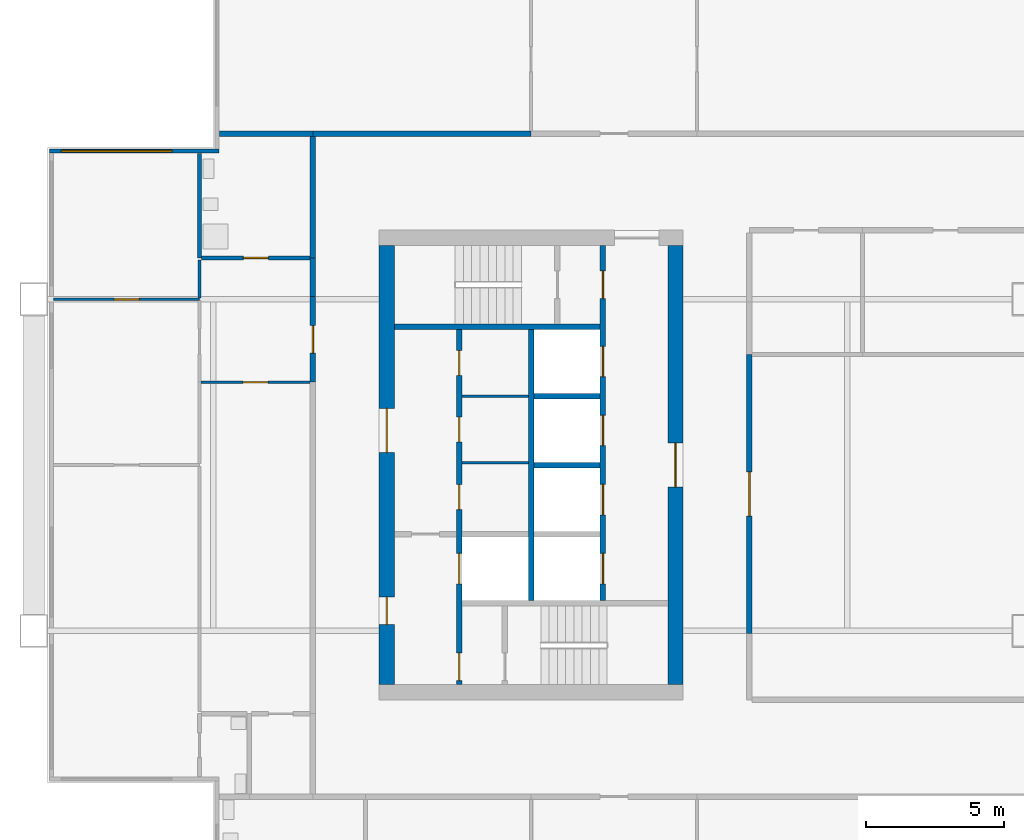
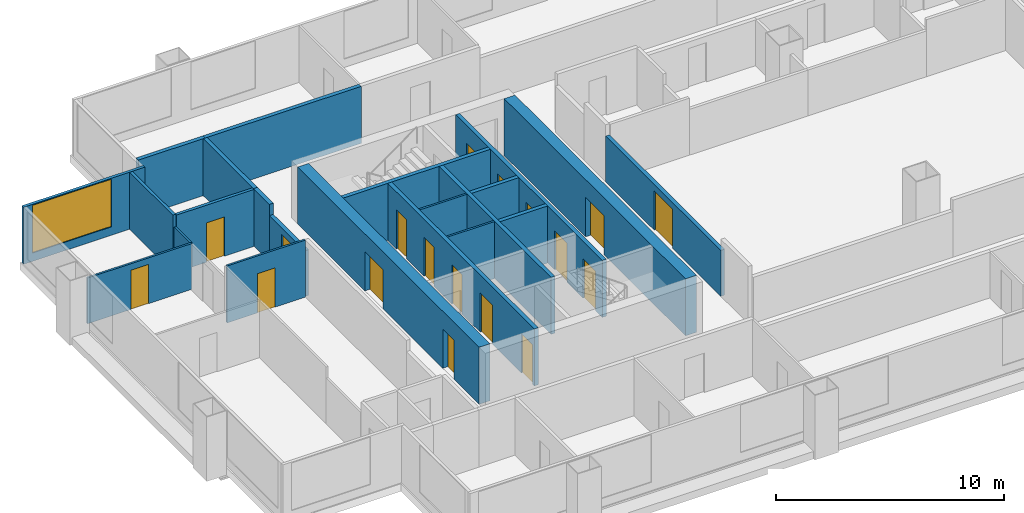
# One storey, part 3 of 8: 22 walls, 18 doors, 1 window, 19 openings.
"""IFC4 building model written with IfcOpenShell, lengths in metres."""

from ifc_helpers import new_model, si_unit, direction, frame, frame_2d, origin, place, context, subcontext, project, spatial, rectangle, extrude, material, layer, layer_set, type_object, element, fill, save


model = new_model("IFC4")

# Units and contexts
model_context = context("Model", 3, precision=1e-05, world=origin(), true_north=direction((0.0, 1.0)))
body_context = subcontext(model_context, "Body", "Model", "MODEL_VIEW")
ifc_project = project(units=[si_unit("LENGTHUNIT", "METRE"), si_unit("AREAUNIT", "SQUARE_METRE"), si_unit("VOLUMEUNIT", "CUBIC_METRE"), si_unit("PLANEANGLEUNIT", "RADIAN"), si_unit("MASSUNIT", "GRAM", prefix="KILO")], contexts=[model_context])

# Site, building, storey
site_placement = place(None, origin())
site = spatial("IfcSite", under=ifc_project, at=site_placement, CompositionType="ELEMENT")
building_placement = place(site_placement, origin())
building = spatial("IfcBuilding", under=site, at=building_placement, Name="Kitamizu Gate Tower and Museum", CompositionType="ELEMENT")
storey_placement = place(building_placement, frame((0.0, 0.0, 199.64990234375)))
storey = spatial("IfcBuildingStorey", under=building, at=storey_placement, Name="L53", CompositionType="ELEMENT", Elevation=199.64990234375)

# Wall, openings, doors
ifc_material_1 = material(Name="Concrete Fc42", Category="concrete")
ifc_layer_1 = layer(ifc_material_1, 0.550048828125)
ifc_layer_set_1 = layer_set([ifc_layer_1], Name="Concrete Fc42")
wall_type_1 = type_object("IfcWallType", Name="Core wall 550", PredefinedType="SHEAR", material=ifc_layer_set_1)
wall_1_placement = place(storey_placement, frame((12.77490234375, 22.050048828125, 0.0), z_axis=(0.0, 0.0, 1.0), x_axis=(0.0, 1.0, 0.0)))
wall_1 = element("IfcWall", 1, at=wall_1_placement, inside=storey, type_object=wall_type_1, Name="Core wall WOUT", PredefinedType="SHEAR", context=body_context, shape_type="SweptSolid", body=[
    extrude(rectangle(XDim=15.89990234375, YDim=0.550048828125, at=frame_2d((7.949951171875, 0.0))), origin(), (0.0, 0.0, 1.0), 3.050048828125),
])
opening_1_placement = place(wall_1_placement, frame((8.39990234375, 0.0, 0.0)))
opening_1 = element("IfcOpeningElement", 2, at=opening_1_placement, cuts=wall_1, Name="Opening L53-032", PredefinedType="OPENING", context=body_context, shape_type="SweptSolid", body=[
    extrude(rectangle(XDim=1.60009765625, YDim=2.10009765625, at=frame_2d((0.800048828125, 1.050048828125))), frame((0.0, 0.28515625, 0.0), z_axis=(0.0, -1.0, 0.0), x_axis=(1.0, 0.0, 0.0)), (0.0, 0.0, 1.0), 0.570068359375),
])
opening_2_placement = place(wall_1_placement, frame((2.175048828125, 0.0, 0.0)))
opening_2 = element("IfcOpeningElement", 3, at=opening_2_placement, cuts=wall_1, Name="Opening L53-033", PredefinedType="OPENING", context=body_context, shape_type="SweptSolid", body=[
    extrude(rectangle(XDim=1.0, YDim=2.10009765625, at=frame_2d((0.5, 1.050048828125))), frame((0.0, 0.28515625, 0.0), z_axis=(0.0, -1.0, 0.0), x_axis=(1.0, 0.0, 0.0)), (0.0, 0.0, 1.0), 0.570068359375),
])
ifc_material_2 = material(Name="Timber door set", Category="wood")
door_type_1 = type_object("IfcDoorType", Name="Entrance door 1600", OperationType="DOUBLE_DOOR_SINGLE_SWING", PredefinedType="DOOR", material=ifc_material_2)
door_1_placement = place(opening_1_placement, origin())
door_1 = element("IfcDoor", 4, at=door_1_placement, inside=storey, type_object=door_type_1, Name="Lobby door L53-032", OperationType="DOUBLE_DOOR_SINGLE_SWING", OverallHeight=2.10009765625, OverallWidth=1.60009765625, PredefinedType="DOOR", context=body_context, shape_type="SweptSolid", body=[
    extrude(rectangle(XDim=1.60009765625, YDim=2.10009765625, at=frame_2d((0.800048828125, 1.050048828125))), frame((0.0, 0.02490234375, 0.0), z_axis=(0.0, -1.0, 0.0), x_axis=(1.0, 0.0, 0.0)), (0.0, 0.0, 1.0), 0.050048828125),
])
fill(opening_1, door_1)
ifc_material_3 = material(Name="Hollow metal door set")
door_type_2 = type_object("IfcDoorType", Name="Fire door 1000", OperationType="NOTDEFINED", PredefinedType="DOOR", material=ifc_material_3)
door_2_placement = place(opening_2_placement, frame((1.0, 0.0, 0.0), x_axis=(-1.0, 0.0, 0.0)))
door_2 = element("IfcDoor", 5, at=door_2_placement, inside=storey, type_object=door_type_2, Name="Fire-fighting lobby door L53-033", OperationType="SINGLE_SWING_LEFT", OverallHeight=2.10009765625, OverallWidth=1.0, PredefinedType="DOOR", context=body_context, shape_type="SweptSolid", body=[
    extrude(rectangle(XDim=1.0, YDim=2.10009765625, at=frame_2d((0.5, 1.050048828125))), frame((0.0, 0.02490234375, 0.0), z_axis=(0.0, -1.0, 0.0), x_axis=(1.0, 0.0, 0.0)), (0.0, 0.0, 1.0), 0.050048828125),
])
fill(opening_2, door_2)

# Wall, opening, door
wall_2_placement = place(storey_placement, frame((23.22509765625, 22.050048828125, 0.0), z_axis=(0.0, 0.0, 1.0), x_axis=(0.0, 1.0, 0.0)))
wall_2 = element("IfcWall", 6, at=wall_2_placement, inside=storey, type_object=wall_type_1, Name="Core wall WARC", PredefinedType="SHEAR", context=body_context, shape_type="SweptSolid", body=[
    extrude(rectangle(XDim=15.89990234375, YDim=0.550048828125, at=frame_2d((7.949951171875, 0.0))), origin(), (0.0, 0.0, 1.0), 3.050048828125),
])
opening_3_placement = place(wall_2_placement, frame((7.14990234375, 0.0, 0.0)))
opening_3 = element("IfcOpeningElement", 7, at=opening_3_placement, cuts=wall_2, Name="Opening L53-035", PredefinedType="OPENING", context=body_context, shape_type="SweptSolid", body=[
    extrude(rectangle(XDim=1.60009765625, YDim=2.10009765625, at=frame_2d((0.800048828125, 1.050048828125))), frame((0.0, 0.28515625, 0.0), z_axis=(0.0, -1.0, 0.0), x_axis=(1.0, 0.0, 0.0)), (0.0, 0.0, 1.0), 0.570068359375),
])
door_3_placement = place(opening_3_placement, origin())
door_3 = element("IfcDoor", 8, at=door_3_placement, inside=storey, type_object=door_type_1, Name="Lobby door L53-035", OperationType="DOUBLE_DOOR_SINGLE_SWING", OverallHeight=2.10009765625, OverallWidth=1.60009765625, PredefinedType="DOOR", context=body_context, shape_type="SweptSolid", body=[
    extrude(rectangle(XDim=1.60009765625, YDim=2.10009765625, at=frame_2d((0.800048828125, 1.050048828125))), frame((0.0, 0.02490234375, 0.0), z_axis=(0.0, -1.0, 0.0), x_axis=(1.0, 0.0, 0.0)), (0.0, 0.0, 1.0), 0.050048828125),
])
fill(opening_3, door_3)

# Walls
ifc_material_4 = material(Name="Gypsum board on galvanised stud")
ifc_layer_2 = layer(ifc_material_4, 0.10009765625)
ifc_layer_set_2 = layer_set([ifc_layer_2], Name="Gypsum board on galvanised stud")
wall_type_2 = type_object("IfcWallType", Name="Partition 100", PredefinedType="PARTITIONING", material=ifc_layer_set_2)
for number, where, z_axis, x_axis, name in (
    (9, (15.5, 30.08203125, 0.0), (0.0, 0.0, 1.0), (1.0, 0.0, 0.0), "Partition WPF1"),
    (10, (15.5, 32.490966796875, 0.0), (0.0, 0.0, 1.0), (1.0, 0.0, 0.0), "Partition WPF2"),
):
    element("IfcWall", number, at=place(storey_placement, frame(where, z_axis=z_axis, x_axis=x_axis)), inside=storey, type_object=wall_type_2, Name=name, PredefinedType="PARTITIONING", context=body_context, shape_type="SweptSolid", body=[
        extrude(rectangle(XDim=2.39990234375, YDim=0.10009765625, at=frame_2d((1.199951171875, 0.0))), origin(), (0.0, 0.0, 1.0), 3.050048828125),
    ])

# Wall, opening, door
ifc_material_5 = material(Name="Gypsum board on galvanised stud")
ifc_layer_3 = layer(ifc_material_5, 0.10009765625)
ifc_layer_set_3 = layer_set([ifc_layer_3], Name="Gypsum board on galvanised stud")
wall_type_3 = type_object("IfcWallType", Name="Partition 100 NOT RATED", PredefinedType="PARTITIONING", material=ifc_layer_set_3)
wall_3_placement = place(storey_placement, frame((6.0, 36.0, 0.0), z_axis=(0.0, 0.0, 1.0), x_axis=(-1.0, 0.0, 0.0)))
wall_3 = element("IfcWall", 11, at=wall_3_placement, inside=storey, type_object=wall_type_3, Name="Partition L53-033", PredefinedType="PARTITIONING", context=body_context, shape_type="SweptSolid", body=[
    extrude(rectangle(XDim=5.280029296875, YDim=0.10009765625, at=frame_2d((2.64013671875, 0.0))), origin(), (0.0, 0.0, 1.0), 2.4501953125),
])
opening_4_placement = place(wall_3_placement, frame((2.18994140625, 0.0, 0.0)))
opening_4 = element("IfcOpeningElement", 12, at=opening_4_placement, cuts=wall_3, Name="Opening L53-018", PredefinedType="OPENING", context=body_context, shape_type="SweptSolid", body=[
    extrude(rectangle(XDim=0.89990234375, YDim=2.10009765625, at=frame_2d((0.449951171875, 1.050048828125))), frame((0.0, 0.06005859375, 0.0), z_axis=(0.0, -1.0, 0.0), x_axis=(1.0, 0.0, 0.0)), (0.0, 0.0, 1.0), 0.1201171875),
])
ifc_material_6 = material(Name="Timber door set", Category="wood")
door_type_3 = type_object("IfcDoorType", Name="Room door 900", OperationType="NOTDEFINED", PredefinedType="DOOR", material=ifc_material_6)
door_4_placement = place(opening_4_placement, frame((0.89990234375, 0.0, 0.0), x_axis=(-1.0, 0.0, 0.0)))
door_4 = element("IfcDoor", 13, at=door_4_placement, inside=storey, type_object=door_type_3, Name="Door L53-018", OperationType="SINGLE_SWING_RIGHT", OverallHeight=2.10009765625, OverallWidth=0.89990234375, PredefinedType="DOOR", context=body_context, shape_type="SweptSolid", body=[
    extrude(rectangle(XDim=0.89990234375, YDim=2.10009765625, at=frame_2d((0.449951171875, 1.050048828125))), frame((0.0, 0.02490234375, 0.0), z_axis=(0.0, -1.0, 0.0), x_axis=(1.0, 0.0, 0.0)), (0.0, 0.0, 1.0), 0.050048828125),
])
fill(opening_4, door_4)

# Wall
wall_4_placement = place(storey_placement, frame((6.0, 36.050048828125, 0.0), z_axis=(0.0, 0.0, 1.0), x_axis=(0.0, 1.0, 0.0)))
element("IfcWall", 14, at=wall_4_placement, inside=storey, type_object=wall_type_3, Name="Partition L53-036", PredefinedType="PARTITIONING", context=body_context, shape_type="SweptSolid", body=[
    extrude(rectangle(XDim=1.375, YDim=0.10009765625, at=frame_2d((0.6875, 0.0))), origin(), (0.0, 0.0, 1.0), 2.4501953125),
])

# Wall, opening, door
wall_5_placement = place(storey_placement, frame((10.0, 33.0, 0.0), z_axis=(0.0, 0.0, 1.0), x_axis=(-1.0, 0.0, 0.0)))
wall_5 = element("IfcWall", 15, at=wall_5_placement, inside=storey, type_object=wall_type_3, Name="Partition L53-042", PredefinedType="PARTITIONING", context=body_context, shape_type="SweptSolid", body=[
    extrude(rectangle(XDim=3.949951171875, YDim=0.10009765625, at=frame_2d((1.97509765625, 0.0))), origin(), (0.0, 0.0, 1.0), 3.050048828125),
])
opening_5_placement = place(wall_5_placement, frame((1.52490234375, 0.0, 0.0)))
opening_5 = element("IfcOpeningElement", 16, at=opening_5_placement, cuts=wall_5, Name="Opening L53-015", PredefinedType="OPENING", context=body_context, shape_type="SweptSolid", body=[
    extrude(rectangle(XDim=0.89990234375, YDim=2.10009765625, at=frame_2d((0.449951171875, 1.050048828125))), frame((0.0, 0.06005859375, 0.0), z_axis=(0.0, -1.0, 0.0), x_axis=(1.0, 0.0, 0.0)), (0.0, 0.0, 1.0), 0.1201171875),
])
door_5_placement = place(opening_5_placement, frame((0.89990234375, 0.0, 0.0), x_axis=(-1.0, 0.0, 0.0)))
door_5 = element("IfcDoor", 17, at=door_5_placement, inside=storey, type_object=door_type_3, Name="Door L53-015", OperationType="SINGLE_SWING_LEFT", OverallHeight=2.10009765625, OverallWidth=0.89990234375, PredefinedType="DOOR", context=body_context, shape_type="SweptSolid", body=[
    extrude(rectangle(XDim=0.89990234375, YDim=2.10009765625, at=frame_2d((0.449951171875, 1.050048828125))), frame((0.0, 0.02490234375, 0.0), z_axis=(0.0, -1.0, 0.0), x_axis=(1.0, 0.0, 0.0)), (0.0, 0.0, 1.0), 0.050048828125),
])
fill(opening_5, door_5)

# Wall
ifc_material_7 = material(Name="Gypsum board on galvanised stud")
ifc_layer_4 = layer(ifc_material_7, 0.14990234375)
ifc_layer_set_4 = layer_set([ifc_layer_4], Name="Gypsum board on galvanised stud")
wall_type_4 = type_object("IfcWallType", Name="Partition 150", PredefinedType="PARTITIONING", material=ifc_layer_set_4)
wall_6_placement = place(storey_placement, frame((6.0, 37.5, 0.0), z_axis=(0.0, 0.0, 1.0), x_axis=(0.0, 1.0, 0.0)))
element("IfcWall", 18, at=wall_6_placement, inside=storey, type_object=wall_type_4, Name="Partition L53-037", PredefinedType="PARTITIONING", context=body_context, shape_type="SweptSolid", body=[
    extrude(rectangle(XDim=3.780029296875, YDim=0.14990234375, at=frame_2d((1.89013671875, 0.0))), origin(), (0.0, 0.0, 1.0), 3.050048828125),
])

# Wall, opening, door
wall_7_placement = place(storey_placement, frame((10.0, 37.5, 0.0), z_axis=(0.0, 0.0, 1.0), x_axis=(-1.0, 0.0, 0.0)))
wall_7 = element("IfcWall", 19, at=wall_7_placement, inside=storey, type_object=wall_type_4, Name="Partition L53-045", PredefinedType="PARTITIONING", context=body_context, shape_type="SweptSolid", body=[
    extrude(rectangle(XDim=3.925048828125, YDim=0.14990234375, at=frame_2d((1.96240234375, 0.0))), origin(), (0.0, 0.0, 1.0), 3.050048828125),
])
opening_6_placement = place(wall_7_placement, frame((1.512451171875, 0.0, 0.0)))
opening_6 = element("IfcOpeningElement", 20, at=opening_6_placement, cuts=wall_7, Name="Opening L53-017", PredefinedType="OPENING", context=body_context, shape_type="SweptSolid", body=[
    extrude(rectangle(XDim=0.89990234375, YDim=2.10009765625, at=frame_2d((0.449951171875, 1.050048828125))), frame((0.0, 0.0849609375, 0.0), z_axis=(0.0, -1.0, 0.0), x_axis=(1.0, 0.0, 0.0)), (0.0, 0.0, 1.0), 0.169921875),
])
ifc_material_8 = material(Name="Timber door set", Category="wood")
door_type_4 = type_object("IfcDoorType", Name="Bathroom door 900", OperationType="NOTDEFINED", PredefinedType="DOOR", material=ifc_material_8)
door_6_placement = place(opening_6_placement, frame((0.89990234375, 0.0, 0.0), x_axis=(-1.0, 0.0, 0.0)))
door_6 = element("IfcDoor", 21, at=door_6_placement, inside=storey, type_object=door_type_4, Name="Bathroom door L53-017", OperationType="SINGLE_SWING_LEFT", OverallHeight=2.10009765625, OverallWidth=0.89990234375, PredefinedType="DOOR", context=body_context, shape_type="SweptSolid", body=[
    extrude(rectangle(XDim=0.89990234375, YDim=2.10009765625, at=frame_2d((0.449951171875, 1.050048828125))), frame((0.0, 0.02490234375, 0.0), z_axis=(0.0, -1.0, 0.0), x_axis=(1.0, 0.0, 0.0)), (0.0, 0.0, 1.0), 0.050048828125),
])
fill(opening_6, door_6)

# Walls
ifc_material_9 = material(Name="Gypsum board on galvanised stud")
ifc_layer_5 = layer(ifc_material_9, 0.199951171875)
ifc_layer_set_5 = layer_set([ifc_layer_5], Name="Gypsum board on galvanised stud")
wall_type_5 = type_object("IfcWallType", Name="Partition 200", PredefinedType="PARTITIONING", material=ifc_layer_set_5)
wall_8_placement = place(storey_placement, frame((6.719970703125, 42.0, 0.0), z_axis=(0.0, 0.0, 1.0), x_axis=(1.0, 0.0, 0.0)))
element("IfcWall", 22, at=wall_8_placement, inside=storey, type_object=wall_type_5, Name="Partition L53-018", PredefinedType="PARTITIONING", context=body_context, shape_type="SweptSolid", body=[
    extrude(rectangle(XDim=3.380126953125, YDim=0.199951171875, at=frame_2d((1.68994140625, 0.0))), origin(), (0.0, 0.0, 1.0), 3.050048828125),
])
wall_9_placement = place(storey_placement, frame((10.10009765625, 42.0, 0.0), z_axis=(0.0, 0.0, 1.0), x_axis=(1.0, 0.0, 0.0)))
element("IfcWall", 23, at=wall_9_placement, inside=storey, type_object=wall_type_5, Name="Partition L53-019", PredefinedType="PARTITIONING", context=body_context, shape_type="SweptSolid", body=[
    extrude(rectangle(XDim=7.89990234375, YDim=0.199951171875, at=frame_2d((3.949951171875, 0.0))), origin(), (0.0, 0.0, 1.0), 3.050048828125),
])

# Wall, opening, door
wall_10_placement = place(storey_placement, frame((10.10009765625, 33.0, 0.0), z_axis=(0.0, 0.0, 1.0), x_axis=(0.0, 1.0, 0.0)))
wall_10 = element("IfcWall", 24, at=wall_10_placement, inside=storey, type_object=wall_type_5, Name="Partition L53-046", PredefinedType="PARTITIONING", context=body_context, shape_type="SweptSolid", body=[
    extrude(rectangle(XDim=3.10009765625, YDim=0.199951171875, at=frame_2d((1.550048828125, 0.0))), origin(), (0.0, 0.0, 1.0), 2.4501953125),
])
opening_7_placement = place(wall_10_placement, frame((1.050048828125, 0.0, 0.0)))
opening_7 = element("IfcOpeningElement", 25, at=opening_7_placement, cuts=wall_10, Name="Opening L53-013", PredefinedType="OPENING", context=body_context, shape_type="SweptSolid", body=[
    extrude(rectangle(XDim=1.0, YDim=2.10009765625, at=frame_2d((0.5, 1.050048828125))), frame((0.0, 0.10986328125, 0.0), z_axis=(0.0, -1.0, 0.0), x_axis=(1.0, 0.0, 0.0)), (0.0, 0.0, 1.0), 0.219970703125),
])
ifc_material_10 = material(Name="Timber door set", Category="wood")
door_type_5 = type_object("IfcDoorType", Name="Flat entrance door 1000", OperationType="NOTDEFINED", PredefinedType="DOOR", material=ifc_material_10)
door_7_placement = place(opening_7_placement, origin())
door_7 = element("IfcDoor", 26, at=door_7_placement, inside=storey, type_object=door_type_5, Name="Flat entrance door L53-013", OperationType="SINGLE_SWING_RIGHT", OverallHeight=2.10009765625, OverallWidth=1.0, PredefinedType="DOOR", context=body_context, shape_type="SweptSolid", body=[
    extrude(rectangle(XDim=1.0, YDim=2.10009765625, at=frame_2d((0.5, 1.050048828125))), frame((0.0, 0.02490234375, 0.0), z_axis=(0.0, -1.0, 0.0), x_axis=(1.0, 0.0, 0.0)), (0.0, 0.0, 1.0), 0.050048828125),
])
fill(opening_7, door_7)

# Walls
wall_11_placement = place(storey_placement, frame((10.10009765625, 36.10009765625, 0.0), z_axis=(0.0, 0.0, 1.0), x_axis=(0.0, 1.0, 0.0)))
element("IfcWall", 27, at=wall_11_placement, inside=storey, type_object=wall_type_5, Name="Partition L53-047", PredefinedType="PARTITIONING", context=body_context, shape_type="SweptSolid", body=[
    extrude(rectangle(XDim=1.39990234375, YDim=0.199951171875, at=frame_2d((0.699951171875, 0.0))), origin(), (0.0, 0.0, 1.0), 3.050048828125),
])
wall_12_placement = place(storey_placement, frame((10.10009765625, 37.5, 0.0), z_axis=(0.0, 0.0, 1.0), x_axis=(0.0, 1.0, 0.0)))
element("IfcWall", 28, at=wall_12_placement, inside=storey, type_object=wall_type_5, Name="Partition L53-048", PredefinedType="PARTITIONING", context=body_context, shape_type="SweptSolid", body=[
    extrude(rectangle(XDim=4.39990234375, YDim=0.199951171875, at=frame_2d((2.199951171875, 0.0))), origin(), (0.0, 0.0, 1.0), 3.050048828125),
])

# Wall, opening, door
wall_13_placement = place(storey_placement, frame((25.89990234375, 34.0, 0.0), z_axis=(0.0, 0.0, 1.0), x_axis=(0.0, -1.0, 0.0)))
wall_13 = element("IfcWall", 29, at=wall_13_placement, inside=storey, type_object=wall_type_5, Name="Partition L53-049", PredefinedType="PARTITIONING", context=body_context, shape_type="SweptSolid", body=[
    extrude(rectangle(XDim=10.10009765625, YDim=0.199951171875, at=frame_2d((5.050048828125, 0.0))), origin(), (0.0, 0.0, 1.0), 2.4501953125),
])
opening_8_placement = place(wall_13_placement, frame((4.25, 0.0, 0.0)))
opening_8 = element("IfcOpeningElement", 30, at=opening_8_placement, cuts=wall_13, Name="Opening L53-022", PredefinedType="OPENING", context=body_context, shape_type="SweptSolid", body=[
    extrude(rectangle(XDim=1.60009765625, YDim=2.10009765625, at=frame_2d((0.800048828125, 1.050048828125))), frame((0.0, 0.10986328125, 0.0), z_axis=(0.0, -1.0, 0.0), x_axis=(1.0, 0.0, 0.0)), (0.0, 0.0, 1.0), 0.219970703125),
])
ifc_material_11 = material(Name="Timber door set", Category="wood")
door_type_6 = type_object("IfcDoorType", Name="Double door 1600", OperationType="DOUBLE_DOOR_SINGLE_SWING", PredefinedType="DOOR", material=ifc_material_11)
door_8_placement = place(opening_8_placement, origin())
door_8 = element("IfcDoor", 31, at=door_8_placement, inside=storey, type_object=door_type_6, Name="Double door L53-022", OperationType="DOUBLE_DOOR_SINGLE_SWING", OverallHeight=2.10009765625, OverallWidth=1.60009765625, PredefinedType="DOOR", context=body_context, shape_type="SweptSolid", body=[
    extrude(rectangle(XDim=1.60009765625, YDim=2.10009765625, at=frame_2d((0.800048828125, 1.050048828125))), frame((0.0, 0.02490234375, 0.0), z_axis=(0.0, -1.0, 0.0), x_axis=(1.0, 0.0, 0.0)), (0.0, 0.0, 1.0), 0.050048828125),
])
fill(opening_8, door_8)

# Wall, openings, doors
ifc_material_12 = material(Name="Concrete Fc42", Category="concrete")
ifc_layer_6 = layer(ifc_material_12, 0.199951171875)
ifc_layer_set_6 = layer_set([ifc_layer_6], Name="Concrete Fc42")
wall_type_6 = type_object("IfcWallType", Name="Shaft wall 200", PredefinedType="SOLIDWALL", material=ifc_layer_set_6)
wall_14_placement = place(storey_placement, frame((15.39990234375, 22.050048828125, 0.0), z_axis=(0.0, 0.0, 1.0), x_axis=(0.0, 1.0, 0.0)))
wall_14 = element("IfcWall", 32, at=wall_14_placement, inside=storey, type_object=wall_type_6, Name="Shaft wall WWEST", PredefinedType="SOLIDWALL", context=body_context, shape_type="SweptSolid", body=[
    extrude(rectangle(XDim=12.849853515625, YDim=0.199951171875, at=frame_2d((6.4248046875, 0.0))), origin(), (0.0, 0.0, 1.0), 3.050048828125),
])
opening_9_placement = place(wall_14_placement, frame((3.64990234375, 0.0, 0.0)))
opening_9 = element("IfcOpeningElement", 33, at=opening_9_placement, cuts=wall_14, Name="Opening LD", PredefinedType="OPENING", context=body_context, shape_type="SweptSolid", body=[
    extrude(rectangle(XDim=1.10009765625, YDim=2.10009765625, at=frame_2d((0.550048828125, 1.050048828125))), frame((0.0, 0.10986328125, 0.0), z_axis=(0.0, -1.0, 0.0), x_axis=(1.0, 0.0, 0.0)), (0.0, 0.0, 1.0), 0.219970703125),
])
opening_10_placement = place(wall_14_placement, frame((0.14990234375, 0.0, 0.0)))
opening_10 = element("IfcOpeningElement", 34, at=opening_10_placement, cuts=wall_14, Name="Opening L53-028", PredefinedType="OPENING", context=body_context, shape_type="SweptSolid", body=[
    extrude(rectangle(XDim=1.0, YDim=2.10009765625, at=frame_2d((0.5, 1.050048828125))), frame((0.0, 0.10986328125, 0.0), z_axis=(0.0, -1.0, 0.0), x_axis=(1.0, 0.0, 0.0)), (0.0, 0.0, 1.0), 0.219970703125),
])
opening_11_placement = place(wall_14_placement, frame((6.341064453125, 0.0, 0.0)))
opening_11 = element("IfcOpeningElement", 35, at=opening_11_placement, cuts=wall_14, Name="Opening L53-036", PredefinedType="OPENING", context=body_context, shape_type="SweptSolid", body=[
    extrude(rectangle(XDim=0.89990234375, YDim=2.10009765625, at=frame_2d((0.449951171875, 1.050048828125))), frame((0.0, 0.10986328125, 0.0), z_axis=(0.0, -1.0, 0.0), x_axis=(1.0, 0.0, 0.0)), (0.0, 0.0, 1.0), 0.219970703125),
])
opening_12_placement = place(wall_14_placement, frame((8.78662109375, 0.0, 0.0)))
opening_12 = element("IfcOpeningElement", 36, at=opening_12_placement, cuts=wall_14, Name="Opening L53-037", PredefinedType="OPENING", context=body_context, shape_type="SweptSolid", body=[
    extrude(rectangle(XDim=0.89990234375, YDim=2.10009765625, at=frame_2d((0.449951171875, 1.050048828125))), frame((0.0, 0.10986328125, 0.0), z_axis=(0.0, -1.0, 0.0), x_axis=(1.0, 0.0, 0.0)), (0.0, 0.0, 1.0), 0.219970703125),
])
opening_13_placement = place(wall_14_placement, frame((11.195556640625, 0.0, 0.0)))
opening_13 = element("IfcOpeningElement", 37, at=opening_13_placement, cuts=wall_14, Name="Opening L53-038", PredefinedType="OPENING", context=body_context, shape_type="SweptSolid", body=[
    extrude(rectangle(XDim=0.89990234375, YDim=2.10009765625, at=frame_2d((0.449951171875, 1.050048828125))), frame((0.0, 0.10986328125, 0.0), z_axis=(0.0, -1.0, 0.0), x_axis=(1.0, 0.0, 0.0)), (0.0, 0.0, 1.0), 0.219970703125),
])
door_9_placement = place(opening_10_placement, frame((1.0, 0.0, 0.0), x_axis=(-1.0, 0.0, 0.0)))
door_9 = element("IfcDoor", 38, at=door_9_placement, inside=storey, type_object=door_type_2, Name="Stair lobby door L53-028", OperationType="SINGLE_SWING_LEFT", OverallHeight=2.10009765625, OverallWidth=1.0, PredefinedType="DOOR", context=body_context, shape_type="SweptSolid", body=[
    extrude(rectangle(XDim=1.0, YDim=2.10009765625, at=frame_2d((0.5, 1.050048828125))), frame((0.0, 0.02490234375, 0.0), z_axis=(0.0, -1.0, 0.0), x_axis=(1.0, 0.0, 0.0)), (0.0, 0.0, 1.0), 0.050048828125),
])
fill(opening_10, door_9)
ifc_material_13 = material(Name="Hollow metal door set")
door_type_7 = type_object("IfcDoorType", Name="Landing door 1100", OperationType="SLIDING_TO_LEFT", PredefinedType="DOOR", material=ifc_material_13)
door_10_placement = place(opening_9_placement, origin())
door_10 = element("IfcDoor", 39, at=door_10_placement, inside=storey, type_object=door_type_7, Name="Landing door WFF1", OperationType="SLIDING_TO_LEFT", OverallHeight=2.10009765625, OverallWidth=1.10009765625, PredefinedType="DOOR", context=body_context, shape_type="SweptSolid", body=[
    extrude(rectangle(XDim=1.10009765625, YDim=2.10009765625, at=frame_2d((0.550048828125, 1.050048828125))), frame((0.0, 0.02490234375, 0.0), z_axis=(0.0, -1.0, 0.0), x_axis=(1.0, 0.0, 0.0)), (0.0, 0.0, 1.0), 0.050048828125),
])
fill(opening_9, door_10)
ifc_material_14 = material(Name="Timber door set", Category="wood")
door_type_8 = type_object("IfcDoorType", Name="Service door 900", OperationType="NOTDEFINED", PredefinedType="DOOR", material=ifc_material_14)
door_11_placement = place(opening_11_placement, frame((0.89990234375, 0.0, 0.0), x_axis=(-1.0, 0.0, 0.0)))
door_11 = element("IfcDoor", 40, at=door_11_placement, inside=storey, type_object=door_type_8, Name="Service door L53-036", OperationType="SINGLE_SWING_RIGHT", OverallHeight=2.10009765625, OverallWidth=0.89990234375, PredefinedType="DOOR", context=body_context, shape_type="SweptSolid", body=[
    extrude(rectangle(XDim=0.89990234375, YDim=2.10009765625, at=frame_2d((0.449951171875, 1.050048828125))), frame((0.0, 0.02490234375, 0.0), z_axis=(0.0, -1.0, 0.0), x_axis=(1.0, 0.0, 0.0)), (0.0, 0.0, 1.0), 0.050048828125),
])
fill(opening_11, door_11)
door_12_placement = place(opening_12_placement, frame((0.89990234375, 0.0, 0.0), x_axis=(-1.0, 0.0, 0.0)))
door_12 = element("IfcDoor", 41, at=door_12_placement, inside=storey, type_object=door_type_8, Name="Service door L53-037", OperationType="SINGLE_SWING_LEFT", OverallHeight=2.10009765625, OverallWidth=0.89990234375, PredefinedType="DOOR", context=body_context, shape_type="SweptSolid", body=[
    extrude(rectangle(XDim=0.89990234375, YDim=2.10009765625, at=frame_2d((0.449951171875, 1.050048828125))), frame((0.0, 0.02490234375, 0.0), z_axis=(0.0, -1.0, 0.0), x_axis=(1.0, 0.0, 0.0)), (0.0, 0.0, 1.0), 0.050048828125),
])
fill(opening_12, door_12)
door_13_placement = place(opening_13_placement, frame((0.89990234375, 0.0, 0.0), x_axis=(-1.0, 0.0, 0.0)))
door_13 = element("IfcDoor", 42, at=door_13_placement, inside=storey, type_object=door_type_8, Name="Service door L53-038", OperationType="SINGLE_SWING_RIGHT", OverallHeight=2.10009765625, OverallWidth=0.89990234375, PredefinedType="DOOR", context=body_context, shape_type="SweptSolid", body=[
    extrude(rectangle(XDim=0.89990234375, YDim=2.10009765625, at=frame_2d((0.449951171875, 1.050048828125))), frame((0.0, 0.02490234375, 0.0), z_axis=(0.0, -1.0, 0.0), x_axis=(1.0, 0.0, 0.0)), (0.0, 0.0, 1.0), 0.050048828125),
])
fill(opening_13, door_13)

wall_15_placement = place(storey_placement, frame((20.60009765625, 25.10009765625, 0.0), z_axis=(0.0, 0.0, 1.0), x_axis=(0.0, 1.0, 0.0)))
wall_15 = element("IfcWall", 43, at=wall_15_placement, inside=storey, type_object=wall_type_6, Name="Shaft wall WEAST", PredefinedType="SOLIDWALL", context=body_context, shape_type="SweptSolid", body=[
    extrude(rectangle(XDim=12.849853515625, YDim=0.199951171875, at=frame_2d((6.4248046875, 0.0))), origin(), (0.0, 0.0, 1.0), 3.050048828125),
])
opening_14_placement = place(wall_15_placement, frame((0.60009765625, 0.0, 0.0)))
opening_14 = element("IfcOpeningElement", 44, at=opening_14_placement, cuts=wall_15, Name="Opening LD", PredefinedType="OPENING", context=body_context, shape_type="SweptSolid", body=[
    extrude(rectangle(XDim=1.10009765625, YDim=2.10009765625, at=frame_2d((0.550048828125, 1.050048828125))), frame((0.0, 0.10986328125, 0.0), z_axis=(0.0, -1.0, 0.0), x_axis=(1.0, 0.0, 0.0)), (0.0, 0.0, 1.0), 0.219970703125),
])
opening_15_placement = place(wall_15_placement, frame((3.10009765625, 0.0, 0.0)))
opening_15 = element("IfcOpeningElement", 45, at=opening_15_placement, cuts=wall_15, Name="Opening LD", PredefinedType="OPENING", context=body_context, shape_type="SweptSolid", body=[
    extrude(rectangle(XDim=1.10009765625, YDim=2.10009765625, at=frame_2d((0.550048828125, 1.050048828125))), frame((0.0, 0.10986328125, 0.0), z_axis=(0.0, -1.0, 0.0), x_axis=(1.0, 0.0, 0.0)), (0.0, 0.0, 1.0), 0.219970703125),
])
opening_16_placement = place(wall_15_placement, frame((5.60009765625, 0.0, 0.0)))
opening_16 = element("IfcOpeningElement", 46, at=opening_16_placement, cuts=wall_15, Name="Opening LD", PredefinedType="OPENING", context=body_context, shape_type="SweptSolid", body=[
    extrude(rectangle(XDim=1.10009765625, YDim=2.10009765625, at=frame_2d((0.550048828125, 1.050048828125))), frame((0.0, 0.10986328125, 0.0), z_axis=(0.0, -1.0, 0.0), x_axis=(1.0, 0.0, 0.0)), (0.0, 0.0, 1.0), 0.219970703125),
])
opening_17_placement = place(wall_15_placement, frame((8.10009765625, 0.0, 0.0)))
opening_17 = element("IfcOpeningElement", 47, at=opening_17_placement, cuts=wall_15, Name="Opening LD", PredefinedType="OPENING", context=body_context, shape_type="SweptSolid", body=[
    extrude(rectangle(XDim=1.10009765625, YDim=2.10009765625, at=frame_2d((0.550048828125, 1.050048828125))), frame((0.0, 0.10986328125, 0.0), z_axis=(0.0, -1.0, 0.0), x_axis=(1.0, 0.0, 0.0)), (0.0, 0.0, 1.0), 0.219970703125),
])
opening_18_placement = place(wall_15_placement, frame((10.925048828125, 0.0, 0.0)))
opening_18 = element("IfcOpeningElement", 48, at=opening_18_placement, cuts=wall_15, Name="Opening L53-029", PredefinedType="OPENING", context=body_context, shape_type="SweptSolid", body=[
    extrude(rectangle(XDim=1.0, YDim=2.10009765625, at=frame_2d((0.5, 1.050048828125))), frame((0.0, 0.10986328125, 0.0), z_axis=(0.0, -1.0, 0.0), x_axis=(1.0, 0.0, 0.0)), (0.0, 0.0, 1.0), 0.219970703125),
])
door_14_placement = place(opening_18_placement, origin())
door_14 = element("IfcDoor", 49, at=door_14_placement, inside=storey, type_object=door_type_2, Name="Stair lobby door L53-029", OperationType="SINGLE_SWING_LEFT", OverallHeight=2.10009765625, OverallWidth=1.0, PredefinedType="DOOR", context=body_context, shape_type="SweptSolid", body=[
    extrude(rectangle(XDim=1.0, YDim=2.10009765625, at=frame_2d((0.5, 1.050048828125))), frame((0.0, 0.02490234375, 0.0), z_axis=(0.0, -1.0, 0.0), x_axis=(1.0, 0.0, 0.0)), (0.0, 0.0, 1.0), 0.050048828125),
])
fill(opening_18, door_14)
door_15_placement = place(opening_14_placement, origin())
door_15 = element("IfcDoor", 50, at=door_15_placement, inside=storey, type_object=door_type_7, Name="Landing door WSV1", OperationType="SLIDING_TO_LEFT", OverallHeight=2.10009765625, OverallWidth=1.10009765625, PredefinedType="DOOR", context=body_context, shape_type="SweptSolid", body=[
    extrude(rectangle(XDim=1.10009765625, YDim=2.10009765625, at=frame_2d((0.550048828125, 1.050048828125))), frame((0.0, 0.02490234375, 0.0), z_axis=(0.0, -1.0, 0.0), x_axis=(1.0, 0.0, 0.0)), (0.0, 0.0, 1.0), 0.050048828125),
])
fill(opening_14, door_15)
door_16_placement = place(opening_15_placement, origin())
door_16 = element("IfcDoor", 51, at=door_16_placement, inside=storey, type_object=door_type_7, Name="Landing door WH1", OperationType="SLIDING_TO_LEFT", OverallHeight=2.10009765625, OverallWidth=1.10009765625, PredefinedType="DOOR", context=body_context, shape_type="SweptSolid", body=[
    extrude(rectangle(XDim=1.10009765625, YDim=2.10009765625, at=frame_2d((0.550048828125, 1.050048828125))), frame((0.0, 0.02490234375, 0.0), z_axis=(0.0, -1.0, 0.0), x_axis=(1.0, 0.0, 0.0)), (0.0, 0.0, 1.0), 0.050048828125),
])
fill(opening_15, door_16)
door_17_placement = place(opening_16_placement, origin())
door_17 = element("IfcDoor", 52, at=door_17_placement, inside=storey, type_object=door_type_7, Name="Landing door WH2", OperationType="SLIDING_TO_LEFT", OverallHeight=2.10009765625, OverallWidth=1.10009765625, PredefinedType="DOOR", context=body_context, shape_type="SweptSolid", body=[
    extrude(rectangle(XDim=1.10009765625, YDim=2.10009765625, at=frame_2d((0.550048828125, 1.050048828125))), frame((0.0, 0.02490234375, 0.0), z_axis=(0.0, -1.0, 0.0), x_axis=(1.0, 0.0, 0.0)), (0.0, 0.0, 1.0), 0.050048828125),
])
fill(opening_16, door_17)
door_18_placement = place(opening_17_placement, origin())
door_18 = element("IfcDoor", 53, at=door_18_placement, inside=storey, type_object=door_type_7, Name="Landing door WH3", OperationType="SLIDING_TO_LEFT", OverallHeight=2.10009765625, OverallWidth=1.10009765625, PredefinedType="DOOR", context=body_context, shape_type="SweptSolid", body=[
    extrude(rectangle(XDim=1.10009765625, YDim=2.10009765625, at=frame_2d((0.550048828125, 1.050048828125))), frame((0.0, 0.02490234375, 0.0), z_axis=(0.0, -1.0, 0.0), x_axis=(1.0, 0.0, 0.0)), (0.0, 0.0, 1.0), 0.050048828125),
])
fill(opening_17, door_18)

# Walls
wall_16_placement = place(storey_placement, frame((18.0, 25.10009765625, 0.0), z_axis=(0.0, 0.0, 1.0), x_axis=(0.0, 1.0, 0.0)))
element("IfcWall", 54, at=wall_16_placement, inside=storey, type_object=wall_type_6, Name="Shaft wall WMID", PredefinedType="SOLIDWALL", context=body_context, shape_type="SweptSolid", body=[
    extrude(rectangle(XDim=9.7998046875, YDim=0.199951171875, at=frame_2d((4.89990234375, 0.0))), origin(), (0.0, 0.0, 1.0), 3.050048828125),
])
wall_17_placement = place(storey_placement, frame((13.050048828125, 35.0, 0.0), z_axis=(0.0, 0.0, 1.0), x_axis=(1.0, 0.0, 0.0)))
element("IfcWall", 55, at=wall_17_placement, inside=storey, type_object=wall_type_6, Name="Shaft wall WNB", PredefinedType="SOLIDWALL", context=body_context, shape_type="SweptSolid", body=[
    extrude(rectangle(XDim=7.449951171875, YDim=0.199951171875, at=frame_2d((3.72509765625, 0.0))), origin(), (0.0, 0.0, 1.0), 3.050048828125),
])
for number, where, z_axis, x_axis, name in (
    (56, (18.10009765625, 30.0, 0.0), (0.0, 0.0, 1.0), (1.0, 0.0, 0.0), "Shaft wall WDVE1"),
    (57, (18.10009765625, 32.5, 0.0), (0.0, 0.0, 1.0), (1.0, 0.0, 0.0), "Shaft wall WDVE2"),
):
    element("IfcWall", number, at=place(storey_placement, frame(where, z_axis=z_axis, x_axis=x_axis)), inside=storey, type_object=wall_type_6, Name=name, PredefinedType="SOLIDWALL", context=body_context, shape_type="SweptSolid", body=[
        extrude(rectangle(XDim=2.39990234375, YDim=0.199951171875, at=frame_2d((1.199951171875, 0.0))), origin(), (0.0, 0.0, 1.0), 3.050048828125),
    ])

# Wall, opening, window
ifc_material_15 = material(Name="Bronze anodised aluminium frame with insulated spandrel and tinted glass", Category="aluminium")
ifc_layer_7 = layer(ifc_material_15, 0.14990234375)
ifc_layer_set_7 = layer_set([ifc_layer_7], Name="Bronze anodised aluminium frame with insulated spandrel and tinted glass")
wall_type_7 = type_object("IfcWallType", Name="WINDOW WALL 150 BRONZE FRAME EI 30", PredefinedType="ELEMENTEDWALL", material=ifc_layer_set_7)
wall_18_placement = place(storey_placement, frame((0.56005859375, 41.364990234375, 0.0), z_axis=(0.0, 0.0, 1.0), x_axis=(1.0, 0.0, 0.0)))
wall_18 = element("IfcWall", 58, at=wall_18_placement, inside=storey, type_object=wall_type_7, Name="Window wall north L53", PredefinedType="ELEMENTEDWALL", context=body_context, shape_type="SweptSolid", body=[
    extrude(rectangle(XDim=6.14990234375, YDim=0.14990234375, at=frame_2d((3.074951171875, 0.0))), origin(), (0.0, 0.0, 1.0), 3.050048828125),
])
opening_19_placement = place(wall_18_placement, frame((0.43994140625, 0.0, 0.449951171875)))
opening_19 = element("IfcOpeningElement", 59, at=opening_19_placement, cuts=wall_18, Name="Opening W16", PredefinedType="OPENING", context=body_context, shape_type="SweptSolid", body=[
    extrude(rectangle(XDim=4.0, YDim=2.550048828125, at=frame_2d((2.0, 1.27490234375))), frame((0.0, 0.0849609375, 0.0), z_axis=(0.0, -1.0, 0.0), x_axis=(1.0, 0.0, 0.0)), (0.0, 0.0, 1.0), 0.169921875),
])
ifc_material_16 = material(Name="Bronze anodised aluminium frame, tinted triple glazing", Category="aluminium")
window_type = type_object("IfcWindowType", Name="WINDOW 4000 x 2550 SILL 450", PartitioningType="SINGLE_PANEL", PredefinedType="WINDOW", material=ifc_material_16)
window_placement = place(opening_19_placement, origin())
window = element("IfcWindow", 60, at=window_placement, inside=storey, type_object=window_type, Name="Window W16 L53", OverallHeight=2.550048828125, OverallWidth=4.0, PartitioningType="SINGLE_PANEL", PredefinedType="WINDOW", context=body_context, shape_type="SweptSolid", body=[
    extrude(rectangle(XDim=4.0, YDim=2.550048828125, at=frame_2d((2.0, 1.27490234375))), frame((0.0, 0.030029296875, 0.0), z_axis=(0.0, -1.0, 0.0), x_axis=(1.0, 0.0, 0.0)), (0.0, 0.0, 1.0), 0.06005859375),
])
fill(opening_19, window)

save(model, "model.ifc")
